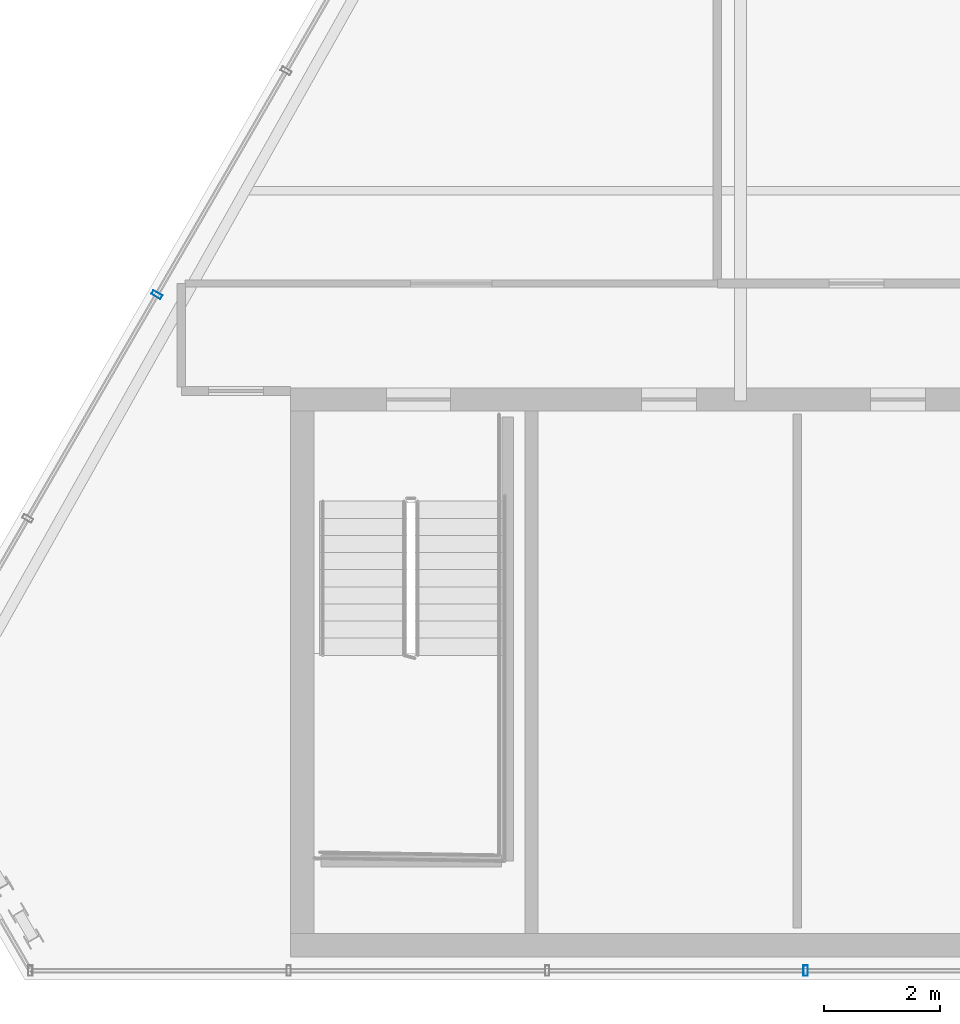
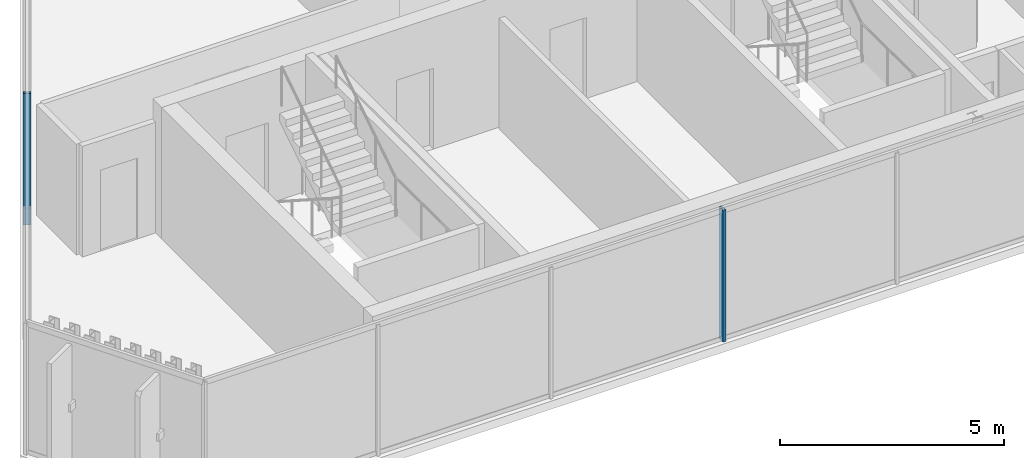
# One storey, part 4 of 32: 2 members, 2 elements without a shape of their own.
"""IFC4 building model written with IfcOpenShell, lengths in metres."""

from ifc_helpers import new_model, si_unit, direction, frame, origin, origin_2d, place, context, subcontext, project, spatial, hollow_rectangle, extrude, material, layer, layer_set, material_profile, profile_set, type_object, element, aggregate, save


model = new_model("IFC4")

# Units and contexts
model_context = context("Model", 3, precision=1e-05, world=origin(), true_north=direction((0.0, 1.0)))
body_context = subcontext(model_context, "Body", "Model", "MODEL_VIEW")
ifc_project = project(units=[si_unit("LENGTHUNIT", "METRE"), si_unit("AREAUNIT", "SQUARE_METRE"), si_unit("VOLUMEUNIT", "CUBIC_METRE"), si_unit("PLANEANGLEUNIT", "RADIAN"), si_unit("MASSUNIT", "GRAM", prefix="KILO")], contexts=[model_context])

# Site, building, storey
site_placement = place(None, origin())
site = spatial("IfcSite", under=ifc_project, at=site_placement, CompositionType="ELEMENT")
building_placement = place(site_placement, origin())
building = spatial("IfcBuilding", under=site, at=building_placement, Name="Ndaravel Arena Tower", CompositionType="ELEMENT")
storey_placement = place(building_placement, frame((0.0, 0.0, 287.10009765625)))
storey = spatial("IfcBuildingStorey", under=building, at=storey_placement, Name="L70", CompositionType="ELEMENT", Elevation=287.10009765625)

# Curtain wall, member
ifc_material_1 = material(Name="Aluminium", Category="aluminium")
ifc_layer = layer(ifc_material_1, 0.179931640625)
ifc_layer_set = layer_set([ifc_layer], Name="Aluminium")
curtain_wall_type = type_object("IfcCurtainWallType", Name="CW-SYS-03", PredefinedType="NOTDEFINED", material=ifc_layer_set)
curtain_wall_1_placement = place(storey_placement, origin())
curtain_wall_1 = element("IfcCurtainWall", 1, at=curtain_wall_1_placement, inside=storey, type_object=curtain_wall_type, Name="L70 Faceted Crystal Curtain Wall CW-L70-E01", PredefinedType="NOTDEFINED")
ifc_material_2 = material(Name="Aluminium", Category="aluminium")
ifc_material_profile = material_profile(ifc_material_2, hollow_rectangle(XDim=0.074951171875, YDim=0.179931640625, WallThickness=0.00390625, at=origin_2d()), Name="CW MULLION 75x180x4")
ifc_profile_set = profile_set([ifc_material_profile], Name="Aluminium")
member_type = type_object("IfcMemberType", Name="MEM-CW-MUL180", PredefinedType="MULLION", material=ifc_profile_set)
member_1_placement = place(storey_placement, frame((35.321533203125, 5.159912109375, 0.0), z_axis=(0.0, 0.0, 1.0), x_axis=(1.0, 0.0, 0.0)))
member_1 = element("IfcMember", 2, at=member_1_placement, type_object=member_type, Name="CW-L70-E01 Mullion 03", PredefinedType="MULLION", context=body_context, shape_type="SweptSolid", body=[
    extrude(hollow_rectangle(XDim=0.074951171875, YDim=0.179931640625, WallThickness=0.00390625, at=origin_2d()), origin(), (0.0, 0.0, 1.0), 3.579833984375),
])
aggregate(curtain_wall_1, [member_1])

curtain_wall_2_placement = place(storey_placement, origin())
curtain_wall_2 = element("IfcCurtainWall", 3, at=curtain_wall_2_placement, inside=storey, type_object=curtain_wall_type, Name="L70 Faceted Crystal Curtain Wall CW-L70-E05", PredefinedType="NOTDEFINED")
member_2_placement = place(storey_placement, frame((24.144775390625, 16.807373046875, 0.0), z_axis=(0.0, 0.0, 1.0), x_axis=(-0.5, -0.866025403784, 0.0)))
member_2 = element("IfcMember", 4, at=member_2_placement, type_object=member_type, Name="CW-L70-E05 Mullion 07", PredefinedType="MULLION", context=body_context, shape_type="SweptSolid", body=[
    extrude(hollow_rectangle(XDim=0.074951171875, YDim=0.179931640625, WallThickness=0.00390625, at=origin_2d()), origin(), (0.0, 0.0, 1.0), 3.579833984375),
])
aggregate(curtain_wall_2, [member_2])

save(model, "model.ifc")
